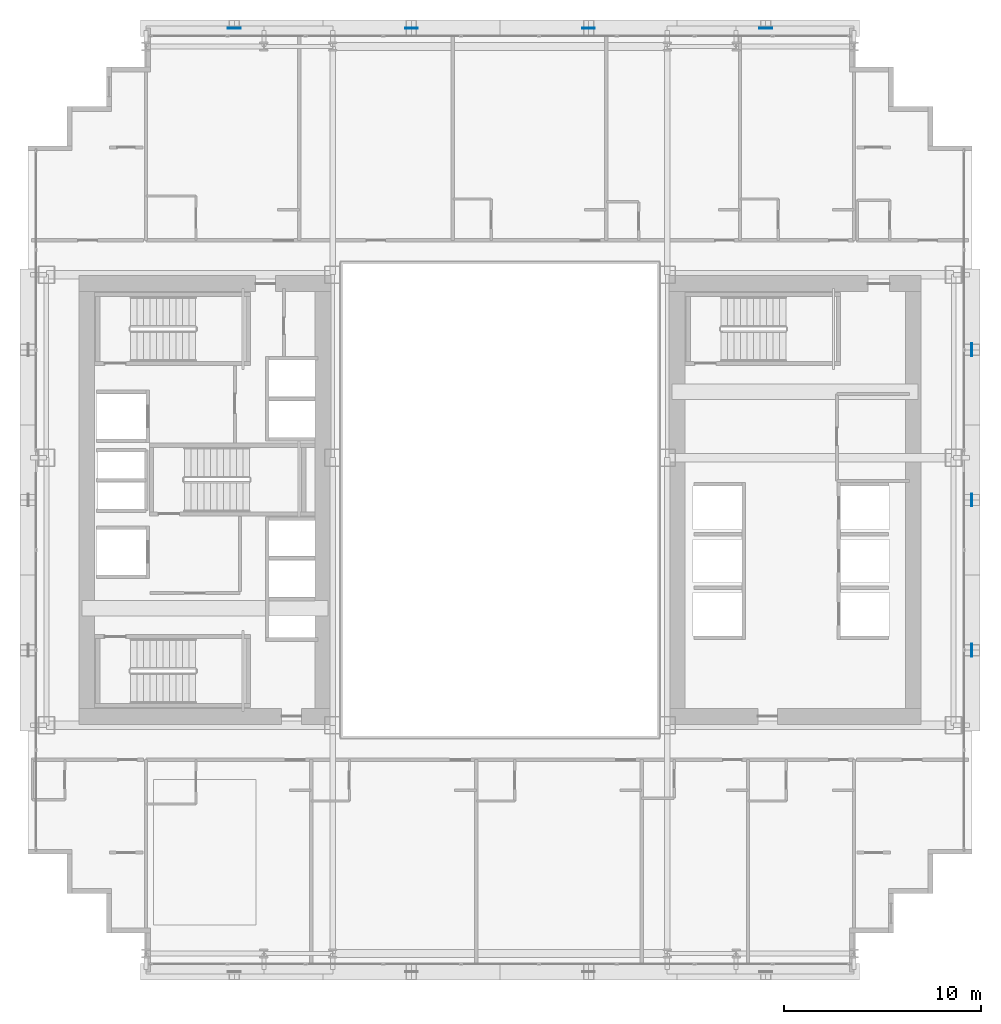
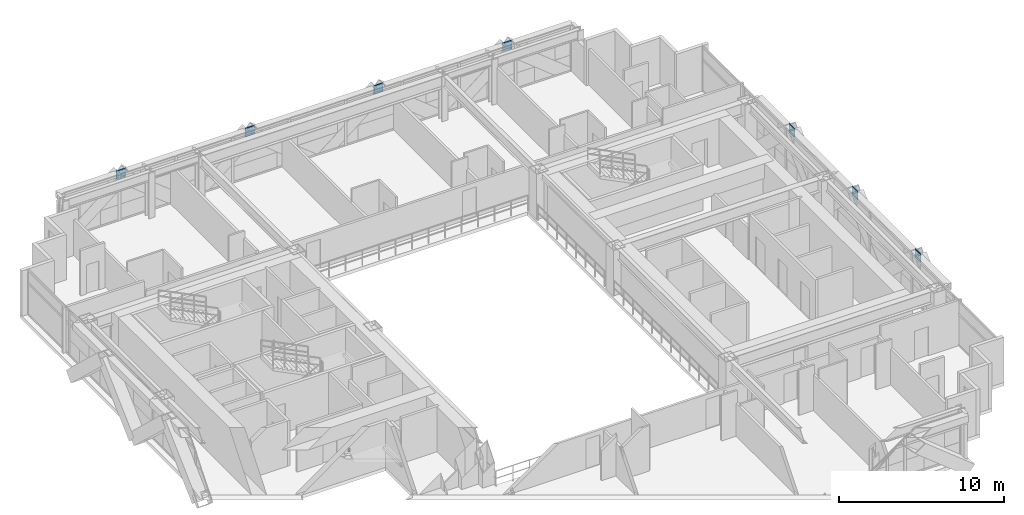
# One storey, part 26 of 35: 7 plates.
"""IFC4 building model written with IfcOpenShell, lengths in metres."""

from ifc_helpers import new_model, si_unit, direction, frame, origin, origin_2d, place, context, subcontext, project, spatial, rectangle, extrude, source, transform, mapped, material, layer, layer_set, type_object, element, save


model = new_model("IFC4")

# Units and contexts
model_context = context("Model", 3, precision=1e-05, world=origin(), true_north=direction((0.0, 1.0)))
body_context = subcontext(model_context, "Body", "Model", "MODEL_VIEW")
ifc_project = project(units=[si_unit("LENGTHUNIT", "METRE"), si_unit("AREAUNIT", "SQUARE_METRE"), si_unit("VOLUMEUNIT", "CUBIC_METRE"), si_unit("PLANEANGLEUNIT", "RADIAN"), si_unit("MASSUNIT", "GRAM", prefix="KILO")], contexts=[model_context])

# Site, building, storey
site_placement = place(None, origin())
site = spatial("IfcSite", under=ifc_project, at=site_placement, CompositionType="ELEMENT")
building_placement = place(site_placement, origin())
building = spatial("IfcBuilding", under=site, at=building_placement, Name="Ocotamira Hotel", CompositionType="ELEMENT")
storey_placement = place(building_placement, frame((0.0, 0.0, 56.39990234375)))
storey = spatial("IfcBuildingStorey", under=building, at=storey_placement, Name="L13", CompositionType="ELEMENT", Elevation=56.39990234375)

# Plates
ifc_material = material(Name="Pale-metal coated steel ASTM A572 Grade 50", Category="steel")
ifc_layer = layer(ifc_material, 0.0400390625)
ifc_layer_set = layer_set([ifc_layer], Name="Pale-metal coated steel ASTM A572 Grade 50")
plate_type = type_object("IfcPlateType", Name="PLT-GUSSET-40", PredefinedType="SHEET", material=ifc_layer_set)
shared_shape_1 = source(origin(), body_context, "Body", "SweptSolid", [
    extrude(rectangle(XDim=0.64990234375, YDim=0.0400390625, at=origin_2d()), origin(), (0.0, 0.0, 1.0), 0.64990234375),
])
for number, where, z_axis, x_axis, name in (
    (1, (18.5, 49.969970703125, 2.775146484375), (0.0, 0.0, 1.0), (1.0, 0.0, 0.0), "L13 Exoskeleton Diagrid N0.1 End Gusset B"),
    (2, (27.5, 49.969970703125, 2.775146484375), (0.0, 0.0, 1.0), (1.0, 0.0, 0.0), "L13 Exoskeleton Diagrid N1.1 End Gusset B"),
    (3, (36.5, 49.969970703125, 2.775146484375), (0.0, 0.0, 1.0), (1.0, 0.0, 0.0), "L13 Exoskeleton Diagrid N2.1 End Gusset B"),
    (4, (45.5, 49.969970703125, 2.775146484375), (0.0, 0.0, 1.0), (1.0, 0.0, 0.0), "L13 Exoskeleton Diagrid N3.1 End Gusset B"),
):
    element("IfcPlate", number, at=place(storey_placement, frame(where, z_axis=z_axis, x_axis=x_axis)), inside=storey, type_object=plate_type, Name=name, PredefinedType="SHEET", context=body_context, shape_type="MappedRepresentation", body=[
        mapped(shared_shape_1, transform((0.0, 0.0, 0.0), scale=1.0)),
    ])
shared_shape_2 = source(origin(), body_context, "Body", "SweptSolid", [
    extrude(rectangle(XDim=0.0400390625, YDim=0.64990234375, at=origin_2d()), origin(), (0.0, 0.0, 1.0), 0.64990234375),
])
for number, where, z_axis, x_axis, name in (
    (5, (55.969970703125, 18.36669921875, 2.775146484375), (0.0, 0.0, 1.0), (1.0, 0.0, 0.0), "L13 Exoskeleton Diagrid E0.1 End Gusset B"),
    (6, (55.969970703125, 26.0, 2.775146484375), (0.0, 0.0, 1.0), (1.0, 0.0, 0.0), "L13 Exoskeleton Diagrid E1.1 End Gusset B"),
    (7, (55.969970703125, 33.63330078125, 2.775146484375), (0.0, 0.0, 1.0), (1.0, 0.0, 0.0), "L13 Exoskeleton Diagrid E2.1 End Gusset B"),
):
    element("IfcPlate", number, at=place(storey_placement, frame(where, z_axis=z_axis, x_axis=x_axis)), inside=storey, type_object=plate_type, Name=name, PredefinedType="SHEET", context=body_context, shape_type="MappedRepresentation", body=[
        mapped(shared_shape_2, transform((0.0, 0.0, 0.0), scale=1.0)),
    ])

save(model, "model.ifc")
